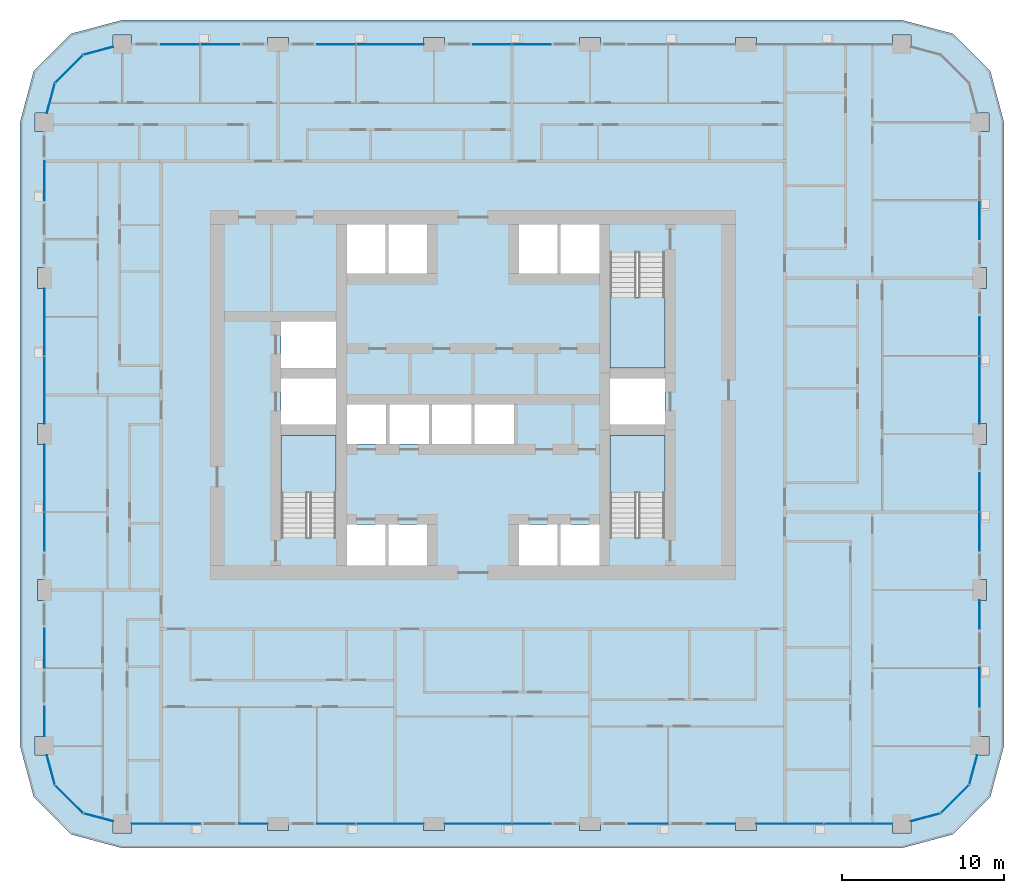
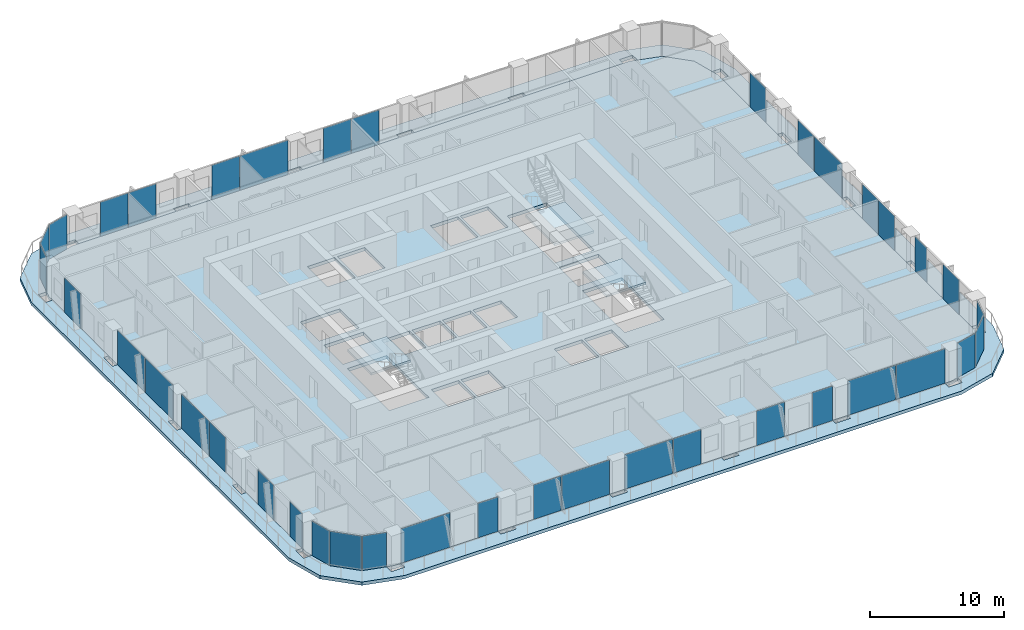
# One storey, part 7 of 22: 39 plates, 5 slabs, 22 elements without a shape of their own.
"""IFC4 building model written with IfcOpenShell, lengths in metres."""

from ifc_helpers import new_model, si_unit, direction, frame, origin, origin_2d, place, context, subcontext, project, spatial, polyline, rectangle, outline, extrude, material, layer, layer_set, type_object, element, aggregate, save


model = new_model("IFC4")

# Units and contexts
model_context = context("Model", 3, precision=1e-05, world=origin(), true_north=direction((0.0, 1.0)))
body_context = subcontext(model_context, "Body", "Model", "MODEL_VIEW")
ifc_project = project(units=[si_unit("LENGTHUNIT", "METRE"), si_unit("AREAUNIT", "SQUARE_METRE"), si_unit("VOLUMEUNIT", "CUBIC_METRE"), si_unit("PLANEANGLEUNIT", "RADIAN"), si_unit("MASSUNIT", "GRAM", prefix="KILO")], contexts=[model_context])

# Site, building, storey
site_placement = place(None, origin())
site = spatial("IfcSite", under=ifc_project, at=site_placement, CompositionType="ELEMENT")
building_placement = place(site_placement, origin())
building = spatial("IfcBuilding", under=site, at=building_placement, Name="Madar Terraces", CompositionType="ELEMENT")
storey_placement = place(building_placement, frame((0.0, 0.0, 69.800048828125)))
storey = spatial("IfcBuildingStorey", under=building, at=storey_placement, Name="L17", CompositionType="ELEMENT", Elevation=69.800048828125)

# Slabs
ifc_material_1 = material(Name="Concrete C50/60", Category="concrete")
ifc_layer_1 = layer(ifc_material_1, 0.300048828125)
ifc_layer_set_1 = layer_set([ifc_layer_1], Name="Balcony band 300")
slab_type_1 = type_object("IfcSlabType", Name="Balcony band 300", PredefinedType="FLOOR", material=ifc_layer_set_1)
slab_1_placement = place(storey_placement, frame((0.0, 0.0, -0.300048828125)))
element("IfcSlab", 1, at=slab_1_placement, inside=storey, type_object=slab_type_1, Name="Balcony band", PredefinedType="FLOOR", context=body_context, shape_type="SweptSolid", body=[
    extrude(outline(polyline([(9.60009765625, -1.5), (6.449951171875, -0.656005859375), (4.14404296875, 1.64990234375), (3.300048828125, 4.800048828125), (3.300048828125, 43.199951171875), (4.14404296875, 46.35009765625), (6.449951171875, 48.656005859375), (9.60009765625, 49.5), (57.60009765625, 49.5), (60.75, 48.656005859375), (63.055908203125, 46.35009765625), (63.89990234375, 43.199951171875), (63.89990234375, 4.800048828125), (63.055908203125, 1.64990234375), (60.75, -0.656005859375), (57.60009765625, -1.5), (9.60009765625, -1.5)]), holes=[polyline([(10.175048828125, -0.574951171875), (10.175048828125, 0.0), (18.550048828125, 0.0), (18.550048828125, -0.425048828125), (19.85009765625, -0.425048828125), (19.85009765625, 0.0), (28.14990234375, 0.0), (28.14990234375, -0.425048828125), (29.449951171875, -0.425048828125), (29.449951171875, 0.0), (37.75, 0.0), (37.75, -0.425048828125), (39.050048828125, -0.425048828125), (39.050048828125, 0.0), (47.35009765625, 0.0), (47.35009765625, -0.425048828125), (48.64990234375, -0.425048828125), (48.64990234375, 0.0), (57.02490234375, 0.0), (57.02490234375, -0.574951171875), (58.175048828125, -0.574951171875), (58.175048828125, 0.154052734375), (60.0, 0.64306640625), (61.7568359375, 2.39990234375), (62.245849609375, 4.22509765625), (62.97509765625, 4.22509765625), (62.97509765625, 5.375), (62.39990234375, 5.375), (62.39990234375, 13.75), (62.824951171875, 13.75), (62.824951171875, 15.050048828125), (62.39990234375, 15.050048828125), (62.39990234375, 23.35009765625), (62.824951171875, 23.35009765625), (62.824951171875, 24.64990234375), (62.39990234375, 24.64990234375), (62.39990234375, 32.949951171875), (62.824951171875, 32.949951171875), (62.824951171875, 34.25), (62.39990234375, 34.25), (62.39990234375, 42.625), (62.97509765625, 42.625), (62.97509765625, 43.77490234375), (62.245849609375, 43.77490234375), (61.7568359375, 45.60009765625), (60.0, 47.35693359375), (58.175048828125, 47.845947265625), (58.175048828125, 48.574951171875), (57.02490234375, 48.574951171875), (57.02490234375, 48.0), (48.64990234375, 48.0), (48.64990234375, 48.425048828125), (47.35009765625, 48.425048828125), (47.35009765625, 48.0), (39.050048828125, 48.0), (39.050048828125, 48.425048828125), (37.75, 48.425048828125), (37.75, 48.0), (29.449951171875, 48.0), (29.449951171875, 48.425048828125), (28.14990234375, 48.425048828125), (28.14990234375, 48.0), (19.85009765625, 48.0), (19.85009765625, 48.425048828125), (18.550048828125, 48.425048828125), (18.550048828125, 48.0), (10.175048828125, 48.0), (10.175048828125, 48.574951171875), (9.02490234375, 48.574951171875), (9.02490234375, 47.845947265625), (7.199951171875, 47.35693359375), (5.443115234375, 45.60009765625), (4.9541015625, 43.77490234375), (4.22509765625, 43.77490234375), (4.22509765625, 42.625), (4.800048828125, 42.625), (4.800048828125, 34.25), (4.375, 34.25), (4.375, 32.949951171875), (4.800048828125, 32.949951171875), (4.800048828125, 24.64990234375), (4.375, 24.64990234375), (4.375, 23.35009765625), (4.800048828125, 23.35009765625), (4.800048828125, 15.050048828125), (4.375, 15.050048828125), (4.375, 13.75), (4.800048828125, 13.75), (4.800048828125, 5.375), (4.22509765625, 5.375), (4.22509765625, 4.22509765625), (4.9541015625, 4.22509765625), (5.443115234375, 2.39990234375), (7.199951171875, 0.64306640625), (9.02490234375, 0.154052734375), (9.02490234375, -0.574951171875), (10.175048828125, -0.574951171875)])]), origin(), (0.0, 0.0, 1.0), 0.300048828125),
])
ifc_material_2 = material(Name="Concrete C50/60", Category="concrete")
ifc_layer_2 = layer(ifc_material_2, 0.300048828125)
ifc_layer_set_2 = layer_set([ifc_layer_2], Name="FS2 PT flat slab 300")
slab_type_2 = type_object("IfcSlabType", Name="FS2 PT flat slab 300", PredefinedType="FLOOR", material=ifc_layer_set_2)
slab_2_placement = place(storey_placement, frame((0.0, 0.0, -0.300048828125)))
element("IfcSlab", 2, at=slab_2_placement, inside=storey, type_object=slab_type_2, Name="Floor slab L17 (1)", PredefinedType="FLOOR", context=body_context, shape_type="SweptSolid", body=[
    extrude(outline(polyline([(57.60009765625, 0.0), (60.0, 0.64306640625), (61.7568359375, 2.39990234375), (62.39990234375, 4.800048828125), (62.39990234375, 43.199951171875), (61.7568359375, 45.60009765625), (60.0, 47.35693359375), (57.60009765625, 48.0), (9.60009765625, 48.0), (7.199951171875, 47.35693359375), (5.443115234375, 45.60009765625), (4.800048828125, 43.199951171875), (4.800048828125, 4.800048828125), (5.443115234375, 2.39990234375), (7.199951171875, 0.64306640625), (9.60009765625, 0.0), (57.60009765625, 0.0)]), holes=[polyline([(23.425048828125, 15.89990234375), (23.425048828125, 18.425048828125), (25.800048828125, 18.425048828125), (25.800048828125, 15.89990234375), (23.425048828125, 15.89990234375)]), polyline([(26.0, 15.89990234375), (26.0, 18.425048828125), (28.375, 18.425048828125), (28.375, 15.89990234375), (26.0, 15.89990234375)]), polyline([(19.375, 17.64990234375), (19.375, 23.925048828125), (22.77490234375, 23.925048828125), (22.77490234375, 17.64990234375), (19.375, 17.64990234375)]), polyline([(23.425048828125, 23.375), (23.425048828125, 25.824951171875), (25.85009765625, 25.824951171875), (25.85009765625, 23.375), (23.425048828125, 23.375)]), polyline([(26.050048828125, 23.375), (26.050048828125, 25.824951171875), (28.47509765625, 25.824951171875), (28.47509765625, 23.375), (26.050048828125, 23.375)]), polyline([(19.375, 24.574951171875), (19.375, 27.425048828125), (22.77490234375, 27.425048828125), (22.77490234375, 24.574951171875), (19.375, 24.574951171875)]), polyline([(19.375, 28.074951171875), (19.375, 30.925048828125), (22.77490234375, 30.925048828125), (22.77490234375, 28.074951171875), (19.375, 28.074951171875)]), polyline([(23.425048828125, 36.89990234375), (25.800048828125, 36.89990234375), (25.800048828125, 33.875), (23.425048828125, 33.875), (23.425048828125, 36.89990234375)]), polyline([(26.0, 36.89990234375), (28.375, 36.89990234375), (28.375, 33.875), (26.0, 33.875), (26.0, 36.89990234375)]), polyline([(34.02490234375, 15.89990234375), (34.02490234375, 18.425048828125), (36.39990234375, 18.425048828125), (36.39990234375, 15.89990234375), (34.02490234375, 15.89990234375)]), polyline([(36.60009765625, 15.89990234375), (36.60009765625, 18.425048828125), (38.97509765625, 18.425048828125), (38.97509765625, 15.89990234375), (36.60009765625, 15.89990234375)]), polyline([(39.625, 17.64990234375), (39.625, 23.925048828125), (43.02490234375, 23.925048828125), (43.02490234375, 17.64990234375), (39.625, 17.64990234375)]), polyline([(28.675048828125, 23.375), (28.675048828125, 25.824951171875), (31.10009765625, 25.824951171875), (31.10009765625, 23.375), (28.675048828125, 23.375)]), polyline([(31.300048828125, 23.375), (31.300048828125, 25.824951171875), (33.72509765625, 25.824951171875), (33.72509765625, 23.375), (31.300048828125, 23.375)]), polyline([(39.625, 24.574951171875), (39.625, 27.425048828125), (43.02490234375, 27.425048828125), (43.02490234375, 24.574951171875), (39.625, 24.574951171875)]), polyline([(39.625, 28.074951171875), (39.625, 35.14990234375), (43.02490234375, 35.14990234375), (43.02490234375, 28.074951171875), (39.625, 28.074951171875)]), polyline([(34.02490234375, 36.89990234375), (36.39990234375, 36.89990234375), (36.39990234375, 33.875), (34.02490234375, 33.875), (34.02490234375, 36.89990234375)]), polyline([(36.60009765625, 36.89990234375), (38.97509765625, 36.89990234375), (38.97509765625, 33.875), (36.60009765625, 33.875), (36.60009765625, 36.89990234375)])]), origin(), (0.0, 0.0, 1.0), 0.300048828125),
])

# Curtain wall, plates
ifc_material_3 = material(Name="Glass, ceramic frit dark grey, with black aluminium frame", Category="aluminium")
ifc_layer_3 = layer(ifc_material_3, 0.199951171875)
ifc_layer_set_3 = layer_set([ifc_layer_3], Name="Facade curtain wall, fritted glass")
curtain_wall_type = type_object("IfcCurtainWallType", Name="Facade curtain wall, fritted glass", PredefinedType="NOTDEFINED", material=ifc_layer_set_3)
curtain_wall_1_placement = place(storey_placement, origin())
curtain_wall_1 = element("IfcCurtainWall", 3, at=curtain_wall_1_placement, inside=storey, type_object=curtain_wall_type, Name="Outer skin curtain wall south bay 1", PredefinedType="NOTDEFINED")
ifc_material_4 = material(Name="Glass, ceramic frit dark grey", Category="glass")
ifc_layer_4 = layer(ifc_material_4, 0.028076171875)
ifc_layer_set_4 = layer_set([ifc_layer_4], Name="Facade glass panel 28")
plate_type = type_object("IfcPlateType", Name="Facade glass panel 28", PredefinedType="CURTAIN_PANEL", material=ifc_layer_set_4)
plate_1_placement = place(storey_placement, frame((12.28759765625, 0.0, 0.0), z_axis=(0.0, 0.0, 1.0), x_axis=(1.0, 0.0, 0.0)))
plate_1 = element("IfcPlate", 4, at=plate_1_placement, type_object=plate_type, Name="Panel 1", PredefinedType="CURTAIN_PANEL", context=body_context, shape_type="SweptSolid", body=[
    extrude(rectangle(XDim=4.22509765625, YDim=0.028076171875, at=origin_2d()), origin(), (0.0, 0.0, 1.0), 3.139892578125),
])
plate_2_placement = place(storey_placement, frame((17.675048828125, 0.0, 0.0), z_axis=(0.0, 0.0, 1.0), x_axis=(1.0, 0.0, 0.0)))
plate_2 = element("IfcPlate", 5, at=plate_2_placement, type_object=plate_type, Name="Panel 2", PredefinedType="CURTAIN_PANEL", context=body_context, shape_type="SweptSolid", body=[
    extrude(rectangle(XDim=1.75, YDim=0.028076171875, at=origin_2d()), origin(), (0.0, 0.0, 1.0), 3.139892578125),
])
aggregate(curtain_wall_1, [plate_1, plate_2])

curtain_wall_2_placement = place(storey_placement, origin())
curtain_wall_2 = element("IfcCurtainWall", 6, at=curtain_wall_2_placement, inside=storey, type_object=curtain_wall_type, Name="Outer skin curtain wall south bay 2", PredefinedType="NOTDEFINED")
plate_3_placement = place(storey_placement, frame((22.784912109375, 0.0, 0.0), z_axis=(0.0, 0.0, 1.0), x_axis=(1.0, 0.0, 0.0)))
plate_3 = element("IfcPlate", 7, at=plate_3_placement, type_object=plate_type, Name="Panel 1", PredefinedType="CURTAIN_PANEL", context=body_context, shape_type="SweptSolid", body=[
    extrude(rectangle(XDim=2.3701171875, YDim=0.028076171875, at=origin_2d()), origin(), (0.0, 0.0, 1.0), 3.139892578125),
])
plate_4_placement = place(storey_placement, frame((26.090087890625, 0.0, 0.0), z_axis=(0.0, 0.0, 1.0), x_axis=(1.0, 0.0, 0.0)))
plate_4 = element("IfcPlate", 8, at=plate_4_placement, type_object=plate_type, Name="Panel 2", PredefinedType="CURTAIN_PANEL", context=body_context, shape_type="SweptSolid", body=[
    extrude(rectangle(XDim=4.1201171875, YDim=0.028076171875, at=origin_2d()), origin(), (0.0, 0.0, 1.0), 3.139892578125),
])
aggregate(curtain_wall_2, [plate_3, plate_4])

curtain_wall_3_placement = place(storey_placement, origin())
curtain_wall_3 = element("IfcCurtainWall", 9, at=curtain_wall_3_placement, inside=storey, type_object=curtain_wall_type, Name="Outer skin curtain wall south bay 3", PredefinedType="NOTDEFINED")
plate_5_placement = place(storey_placement, frame((31.510009765625, 0.0, 0.0), z_axis=(0.0, 0.0, 1.0), x_axis=(1.0, 0.0, 0.0)))
plate_5 = element("IfcPlate", 10, at=plate_5_placement, type_object=plate_type, Name="Panel 1", PredefinedType="CURTAIN_PANEL", context=body_context, shape_type="SweptSolid", body=[
    extrude(rectangle(XDim=4.1201171875, YDim=0.028076171875, at=origin_2d()), origin(), (0.0, 0.0, 1.0), 3.139892578125),
])
plate_6_placement = place(storey_placement, frame((34.81494140625, 0.0, 0.0), z_axis=(0.0, 0.0, 1.0), x_axis=(1.0, 0.0, 0.0)))
plate_6 = element("IfcPlate", 11, at=plate_6_placement, type_object=plate_type, Name="Panel 2", PredefinedType="CURTAIN_PANEL", context=body_context, shape_type="SweptSolid", body=[
    extrude(rectangle(XDim=2.3701171875, YDim=0.028076171875, at=origin_2d()), origin(), (0.0, 0.0, 1.0), 3.139892578125),
])
aggregate(curtain_wall_3, [plate_5, plate_6])

curtain_wall_4_placement = place(storey_placement, origin())
curtain_wall_4 = element("IfcCurtainWall", 12, at=curtain_wall_4_placement, inside=storey, type_object=curtain_wall_type, Name="Outer skin curtain wall south bay 4", PredefinedType="NOTDEFINED")
plate_7_placement = place(storey_placement, frame((42.0, 0.0, 0.0), z_axis=(0.0, 0.0, 1.0), x_axis=(1.0, 0.0, 0.0)))
plate_7 = element("IfcPlate", 13, at=plate_7_placement, type_object=plate_type, Name="Panel 1", PredefinedType="CURTAIN_PANEL", context=body_context, shape_type="SweptSolid", body=[
    extrude(rectangle(XDim=2.39990234375, YDim=0.028076171875, at=origin_2d()), origin(), (0.0, 0.0, 1.0), 3.139892578125),
])
plate_8_placement = place(storey_placement, frame((46.47509765625, 0.0, 0.0), z_axis=(0.0, 0.0, 1.0), x_axis=(1.0, 0.0, 0.0)))
plate_8 = element("IfcPlate", 14, at=plate_8_placement, type_object=plate_type, Name="Panel 2", PredefinedType="CURTAIN_PANEL", context=body_context, shape_type="SweptSolid", body=[
    extrude(rectangle(XDim=1.75, YDim=0.028076171875, at=origin_2d()), origin(), (0.0, 0.0, 1.0), 3.139892578125),
])
aggregate(curtain_wall_4, [plate_7, plate_8])

curtain_wall_5_placement = place(storey_placement, origin())
curtain_wall_5 = element("IfcCurtainWall", 15, at=curtain_wall_5_placement, inside=storey, type_object=curtain_wall_type, Name="Outer skin curtain wall south bay 5", PredefinedType="NOTDEFINED")
plate_9_placement = place(storey_placement, frame((50.7099609375, 0.0, 0.0), z_axis=(0.0, 0.0, 1.0), x_axis=(1.0, 0.0, 0.0)))
plate_9 = element("IfcPlate", 16, at=plate_9_placement, type_object=plate_type, Name="Panel 1", PredefinedType="CURTAIN_PANEL", context=body_context, shape_type="SweptSolid", body=[
    extrude(rectangle(XDim=4.1201171875, YDim=0.028076171875, at=origin_2d()), origin(), (0.0, 0.0, 1.0), 3.139892578125),
])
plate_10_placement = place(storey_placement, frame((54.927490234375, 0.0, 0.0), z_axis=(0.0, 0.0, 1.0), x_axis=(1.0, 0.0, 0.0)))
plate_10 = element("IfcPlate", 17, at=plate_10_placement, type_object=plate_type, Name="Panel 2", PredefinedType="CURTAIN_PANEL", context=body_context, shape_type="SweptSolid", body=[
    extrude(rectangle(XDim=4.195068359375, YDim=0.028076171875, at=origin_2d()), origin(), (0.0, 0.0, 1.0), 3.139892578125),
])
aggregate(curtain_wall_5, [plate_9, plate_10])

curtain_wall_6_placement = place(storey_placement, origin())
curtain_wall_6 = element("IfcCurtainWall", 18, at=curtain_wall_6_placement, inside=storey, type_object=curtain_wall_type, Name="Outer skin curtain wall east bay 1", PredefinedType="NOTDEFINED")
plate_11_placement = place(storey_placement, frame((62.39990234375, 8.39990234375, 0.0), z_axis=(0.0, 0.0, 1.0), x_axis=(0.0, 1.0, 0.0)))
plate_11 = element("IfcPlate", 19, at=plate_11_placement, type_object=plate_type, Name="Panel 1", PredefinedType="CURTAIN_PANEL", context=body_context, shape_type="SweptSolid", body=[
    extrude(rectangle(XDim=2.39990234375, YDim=0.028076171875, at=origin_2d()), origin(), (0.0, 0.0, 1.0), 3.139892578125),
])
plate_12_placement = place(storey_placement, frame((62.39990234375, 12.875, 0.0), z_axis=(0.0, 0.0, 1.0), x_axis=(0.0, 1.0, 0.0)))
plate_12 = element("IfcPlate", 20, at=plate_12_placement, type_object=plate_type, Name="Panel 2", PredefinedType="CURTAIN_PANEL", context=body_context, shape_type="SweptSolid", body=[
    extrude(rectangle(XDim=1.75, YDim=0.028076171875, at=origin_2d()), origin(), (0.0, 0.0, 1.0), 3.139892578125),
])
aggregate(curtain_wall_6, [plate_11, plate_12])

curtain_wall_7_placement = place(storey_placement, origin())
curtain_wall_7 = element("IfcCurtainWall", 21, at=curtain_wall_7_placement, inside=storey, type_object=curtain_wall_type, Name="Outer skin curtain wall east bay 2", PredefinedType="NOTDEFINED")
plate_13_placement = place(storey_placement, frame((62.39990234375, 17.985107421875, 0.0), z_axis=(0.0, 0.0, 1.0), x_axis=(0.0, 1.0, 0.0)))
plate_13 = element("IfcPlate", 22, at=plate_13_placement, type_object=plate_type, Name="Panel 1", PredefinedType="CURTAIN_PANEL", context=body_context, shape_type="SweptSolid", body=[
    extrude(rectangle(XDim=2.3701171875, YDim=0.028076171875, at=origin_2d()), origin(), (0.0, 0.0, 1.0), 3.139892578125),
])
plate_14_placement = place(storey_placement, frame((62.39990234375, 20.4150390625, 0.0), z_axis=(0.0, 0.0, 1.0), x_axis=(0.0, 1.0, 0.0)))
plate_14 = element("IfcPlate", 23, at=plate_14_placement, type_object=plate_type, Name="Panel 2", PredefinedType="CURTAIN_PANEL", context=body_context, shape_type="SweptSolid", body=[
    extrude(rectangle(XDim=2.3701171875, YDim=0.028076171875, at=origin_2d()), origin(), (0.0, 0.0, 1.0), 3.139892578125),
])
aggregate(curtain_wall_7, [plate_13, plate_14])

curtain_wall_8_placement = place(storey_placement, origin())
curtain_wall_8 = element("IfcCurtainWall", 24, at=curtain_wall_8_placement, inside=storey, type_object=curtain_wall_type, Name="Outer skin curtain wall east bay 3", PredefinedType="NOTDEFINED")
plate_15_placement = place(storey_placement, frame((62.39990234375, 26.7099609375, 0.0), z_axis=(0.0, 0.0, 1.0), x_axis=(0.0, 1.0, 0.0)))
plate_15 = element("IfcPlate", 25, at=plate_15_placement, type_object=plate_type, Name="Panel 1", PredefinedType="CURTAIN_PANEL", context=body_context, shape_type="SweptSolid", body=[
    extrude(rectangle(XDim=4.1201171875, YDim=0.028076171875, at=origin_2d()), origin(), (0.0, 0.0, 1.0), 3.139892578125),
])
plate_16_placement = place(storey_placement, frame((62.39990234375, 30.014892578125, 0.0), z_axis=(0.0, 0.0, 1.0), x_axis=(0.0, 1.0, 0.0)))
plate_16 = element("IfcPlate", 26, at=plate_16_placement, type_object=plate_type, Name="Panel 2", PredefinedType="CURTAIN_PANEL", context=body_context, shape_type="SweptSolid", body=[
    extrude(rectangle(XDim=2.3701171875, YDim=0.028076171875, at=origin_2d()), origin(), (0.0, 0.0, 1.0), 3.139892578125),
])
aggregate(curtain_wall_8, [plate_15, plate_16])

# Curtain wall, plate
curtain_wall_9_placement = place(storey_placement, origin())
curtain_wall_9 = element("IfcCurtainWall", 27, at=curtain_wall_9_placement, inside=storey, type_object=curtain_wall_type, Name="Outer skin curtain wall east bay 4", PredefinedType="NOTDEFINED")
plate_17_placement = place(storey_placement, frame((62.39990234375, 37.18505859375, 0.0), z_axis=(0.0, 0.0, 1.0), x_axis=(0.0, 1.0, 0.0)))
plate_17 = element("IfcPlate", 28, at=plate_17_placement, type_object=plate_type, Name="Panel 1", PredefinedType="CURTAIN_PANEL", context=body_context, shape_type="SweptSolid", body=[
    extrude(rectangle(XDim=2.3701171875, YDim=0.028076171875, at=origin_2d()), origin(), (0.0, 0.0, 1.0), 3.139892578125),
])
aggregate(curtain_wall_9, [plate_17])

# Curtain wall, plates
curtain_wall_10_placement = place(storey_placement, origin())
curtain_wall_10 = element("IfcCurtainWall", 29, at=curtain_wall_10_placement, inside=storey, type_object=curtain_wall_type, Name="Outer skin curtain wall north bay 3", PredefinedType="NOTDEFINED")
plate_18_placement = place(storey_placement, frame((34.81494140625, 48.0, 0.0), z_axis=(0.0, 0.0, 1.0), x_axis=(-1.0, 0.0, 0.0)))
plate_18 = element("IfcPlate", 30, at=plate_18_placement, type_object=plate_type, Name="Panel 1", PredefinedType="CURTAIN_PANEL", context=body_context, shape_type="SweptSolid", body=[
    extrude(rectangle(XDim=2.3701171875, YDim=0.028076171875, at=origin_2d()), origin(), (0.0, 0.0, 1.0), 3.139892578125),
])
plate_19_placement = place(storey_placement, frame((32.385009765625, 48.0, 0.0), z_axis=(0.0, 0.0, 1.0), x_axis=(-1.0, 0.0, 0.0)))
plate_19 = element("IfcPlate", 31, at=plate_19_placement, type_object=plate_type, Name="Panel 2", PredefinedType="CURTAIN_PANEL", context=body_context, shape_type="SweptSolid", body=[
    extrude(rectangle(XDim=2.3701171875, YDim=0.028076171875, at=origin_2d()), origin(), (0.0, 0.0, 1.0), 3.139892578125),
])
aggregate(curtain_wall_10, [plate_18, plate_19])

curtain_wall_11_placement = place(storey_placement, origin())
curtain_wall_11 = element("IfcCurtainWall", 32, at=curtain_wall_11_placement, inside=storey, type_object=curtain_wall_type, Name="Outer skin curtain wall north bay 4", PredefinedType="NOTDEFINED")
plate_20_placement = place(storey_placement, frame((26.090087890625, 48.0, 0.0), z_axis=(0.0, 0.0, 1.0), x_axis=(-1.0, 0.0, 0.0)))
plate_20 = element("IfcPlate", 33, at=plate_20_placement, type_object=plate_type, Name="Panel 1", PredefinedType="CURTAIN_PANEL", context=body_context, shape_type="SweptSolid", body=[
    extrude(rectangle(XDim=4.1201171875, YDim=0.028076171875, at=origin_2d()), origin(), (0.0, 0.0, 1.0), 3.139892578125),
])
plate_21_placement = place(storey_placement, frame((22.784912109375, 48.0, 0.0), z_axis=(0.0, 0.0, 1.0), x_axis=(-1.0, 0.0, 0.0)))
plate_21 = element("IfcPlate", 34, at=plate_21_placement, type_object=plate_type, Name="Panel 2", PredefinedType="CURTAIN_PANEL", context=body_context, shape_type="SweptSolid", body=[
    extrude(rectangle(XDim=2.3701171875, YDim=0.028076171875, at=origin_2d()), origin(), (0.0, 0.0, 1.0), 3.139892578125),
])
aggregate(curtain_wall_11, [plate_20, plate_21])

curtain_wall_12_placement = place(storey_placement, origin())
curtain_wall_12 = element("IfcCurtainWall", 35, at=curtain_wall_12_placement, inside=storey, type_object=curtain_wall_type, Name="Outer skin curtain wall north bay 5", PredefinedType="NOTDEFINED")
plate_22_placement = place(storey_placement, frame((15.614990234375, 48.0, 0.0), z_axis=(0.0, 0.0, 1.0), x_axis=(-1.0, 0.0, 0.0)))
plate_22 = element("IfcPlate", 36, at=plate_22_placement, type_object=plate_type, Name="Panel 1", PredefinedType="CURTAIN_PANEL", context=body_context, shape_type="SweptSolid", body=[
    extrude(rectangle(XDim=2.3701171875, YDim=0.028076171875, at=origin_2d()), origin(), (0.0, 0.0, 1.0), 3.139892578125),
])
plate_23_placement = place(storey_placement, frame((13.18505859375, 48.0, 0.0), z_axis=(0.0, 0.0, 1.0), x_axis=(-1.0, 0.0, 0.0)))
plate_23 = element("IfcPlate", 37, at=plate_23_placement, type_object=plate_type, Name="Panel 2", PredefinedType="CURTAIN_PANEL", context=body_context, shape_type="SweptSolid", body=[
    extrude(rectangle(XDim=2.3701171875, YDim=0.028076171875, at=origin_2d()), origin(), (0.0, 0.0, 1.0), 3.139892578125),
])
aggregate(curtain_wall_12, [plate_22, plate_23])

# Curtain wall, plate
curtain_wall_13_placement = place(storey_placement, origin())
curtain_wall_13 = element("IfcCurtainWall", 38, at=curtain_wall_13_placement, inside=storey, type_object=curtain_wall_type, Name="Outer skin curtain wall west bay 1", PredefinedType="NOTDEFINED")
plate_24_placement = place(storey_placement, frame((4.800048828125, 39.60009765625, 0.0), z_axis=(0.0, 0.0, 1.0), x_axis=(0.0, -1.0, 0.0)))
plate_24 = element("IfcPlate", 39, at=plate_24_placement, type_object=plate_type, Name="Panel 1", PredefinedType="CURTAIN_PANEL", context=body_context, shape_type="SweptSolid", body=[
    extrude(rectangle(XDim=2.39990234375, YDim=0.028076171875, at=origin_2d()), origin(), (0.0, 0.0, 1.0), 3.139892578125),
])
aggregate(curtain_wall_13, [plate_24])

# Curtain wall, plates
curtain_wall_14_placement = place(storey_placement, origin())
curtain_wall_14 = element("IfcCurtainWall", 40, at=curtain_wall_14_placement, inside=storey, type_object=curtain_wall_type, Name="Outer skin curtain wall west bay 2", PredefinedType="NOTDEFINED")
plate_25_placement = place(storey_placement, frame((4.800048828125, 30.889892578125, 0.0), z_axis=(0.0, 0.0, 1.0), x_axis=(0.0, -1.0, 0.0)))
plate_25 = element("IfcPlate", 41, at=plate_25_placement, type_object=plate_type, Name="Panel 1", PredefinedType="CURTAIN_PANEL", context=body_context, shape_type="SweptSolid", body=[
    extrude(rectangle(XDim=4.1201171875, YDim=0.028076171875, at=origin_2d()), origin(), (0.0, 0.0, 1.0), 3.139892578125),
])
plate_26_placement = place(storey_placement, frame((4.800048828125, 26.7099609375, 0.0), z_axis=(0.0, 0.0, 1.0), x_axis=(0.0, -1.0, 0.0)))
plate_26 = element("IfcPlate", 42, at=plate_26_placement, type_object=plate_type, Name="Panel 2", PredefinedType="CURTAIN_PANEL", context=body_context, shape_type="SweptSolid", body=[
    extrude(rectangle(XDim=4.1201171875, YDim=0.028076171875, at=origin_2d()), origin(), (0.0, 0.0, 1.0), 3.139892578125),
])
aggregate(curtain_wall_14, [plate_25, plate_26])

curtain_wall_15_placement = place(storey_placement, origin())
curtain_wall_15 = element("IfcCurtainWall", 43, at=curtain_wall_15_placement, inside=storey, type_object=curtain_wall_type, Name="Outer skin curtain wall west bay 3", PredefinedType="NOTDEFINED")
plate_27_placement = place(storey_placement, frame((4.800048828125, 21.2900390625, 0.0), z_axis=(0.0, 0.0, 1.0), x_axis=(0.0, -1.0, 0.0)))
plate_27 = element("IfcPlate", 44, at=plate_27_placement, type_object=plate_type, Name="Panel 1", PredefinedType="CURTAIN_PANEL", context=body_context, shape_type="SweptSolid", body=[
    extrude(rectangle(XDim=4.1201171875, YDim=0.028076171875, at=origin_2d()), origin(), (0.0, 0.0, 1.0), 3.139892578125),
])
plate_28_placement = place(storey_placement, frame((4.800048828125, 17.985107421875, 0.0), z_axis=(0.0, 0.0, 1.0), x_axis=(0.0, -1.0, 0.0)))
plate_28 = element("IfcPlate", 45, at=plate_28_placement, type_object=plate_type, Name="Panel 2", PredefinedType="CURTAIN_PANEL", context=body_context, shape_type="SweptSolid", body=[
    extrude(rectangle(XDim=2.3701171875, YDim=0.028076171875, at=origin_2d()), origin(), (0.0, 0.0, 1.0), 3.139892578125),
])
aggregate(curtain_wall_15, [plate_27, plate_28])

curtain_wall_16_placement = place(storey_placement, origin())
curtain_wall_16 = element("IfcCurtainWall", 46, at=curtain_wall_16_placement, inside=storey, type_object=curtain_wall_type, Name="Outer skin curtain wall west bay 4", PredefinedType="NOTDEFINED")
plate_29_placement = place(storey_placement, frame((4.800048828125, 10.800048828125, 0.0), z_axis=(0.0, 0.0, 1.0), x_axis=(0.0, -1.0, 0.0)))
plate_29 = element("IfcPlate", 47, at=plate_29_placement, type_object=plate_type, Name="Panel 1", PredefinedType="CURTAIN_PANEL", context=body_context, shape_type="SweptSolid", body=[
    extrude(rectangle(XDim=2.39990234375, YDim=0.028076171875, at=origin_2d()), origin(), (0.0, 0.0, 1.0), 3.139892578125),
])
plate_30_placement = place(storey_placement, frame((4.800048828125, 6.28759765625, 0.0), z_axis=(0.0, 0.0, 1.0), x_axis=(0.0, -1.0, 0.0)))
plate_30 = element("IfcPlate", 48, at=plate_30_placement, type_object=plate_type, Name="Panel 2", PredefinedType="CURTAIN_PANEL", context=body_context, shape_type="SweptSolid", body=[
    extrude(rectangle(XDim=1.824951171875, YDim=0.028076171875, at=origin_2d()), origin(), (0.0, 0.0, 1.0), 3.139892578125),
])
aggregate(curtain_wall_16, [plate_29, plate_30])

curtain_wall_17_placement = place(storey_placement, origin())
curtain_wall_17 = element("IfcCurtainWall", 49, at=curtain_wall_17_placement, inside=storey, type_object=curtain_wall_type, Name="Outer skin curtain wall south-east corner", PredefinedType="NOTDEFINED")
plate_31_placement = place(storey_placement, frame((59.072998046875, 0.394775390625, 0.0), z_axis=(0.0, 0.0, 1.0), x_axis=(0.965925832509, 0.258819021888, 0.0)))
plate_31 = element("IfcPlate", 50, at=plate_31_placement, type_object=plate_type, Name="Panel 1", PredefinedType="CURTAIN_PANEL", context=body_context, shape_type="SweptSolid", body=[
    extrude(rectangle(XDim=1.859375, YDim=0.028076171875, at=origin_2d()), origin(), (0.0, 0.0, 1.0), 3.139892578125),
])
plate_32_placement = place(storey_placement, frame((60.87841796875, 1.521484375, 0.0), z_axis=(0.0, 0.0, 1.0), x_axis=(0.707106781187, 0.707106781187, 0.0)))
plate_32 = element("IfcPlate", 51, at=plate_32_placement, type_object=plate_type, Name="Panel 2", PredefinedType="CURTAIN_PANEL", context=body_context, shape_type="SweptSolid", body=[
    extrude(rectangle(XDim=2.424560546875, YDim=0.028076171875, at=origin_2d()), origin(), (0.0, 0.0, 1.0), 3.139892578125),
])
plate_33_placement = place(storey_placement, frame((62.00537109375, 3.326904296875, 0.0), z_axis=(0.0, 0.0, 1.0), x_axis=(0.258819021888, 0.965925832509, 0.0)))
plate_33 = element("IfcPlate", 52, at=plate_33_placement, type_object=plate_type, Name="Panel 3", PredefinedType="CURTAIN_PANEL", context=body_context, shape_type="SweptSolid", body=[
    extrude(rectangle(XDim=1.859375, YDim=0.028076171875, at=origin_2d()), origin(), (0.0, 0.0, 1.0), 3.139892578125),
])
aggregate(curtain_wall_17, [plate_31, plate_32, plate_33])

curtain_wall_18_placement = place(storey_placement, origin())
curtain_wall_18 = element("IfcCurtainWall", 53, at=curtain_wall_18_placement, inside=storey, type_object=curtain_wall_type, Name="Outer skin curtain wall north-west corner", PredefinedType="NOTDEFINED")
plate_34_placement = place(storey_placement, frame((8.126953125, 47.605224609375, 0.0), z_axis=(0.0, 0.0, 1.0), x_axis=(-0.965925832509, -0.258819021888, 0.0)))
plate_34 = element("IfcPlate", 54, at=plate_34_placement, type_object=plate_type, Name="Panel 1", PredefinedType="CURTAIN_PANEL", context=body_context, shape_type="SweptSolid", body=[
    extrude(rectangle(XDim=1.859375, YDim=0.028076171875, at=origin_2d()), origin(), (0.0, 0.0, 1.0), 3.139892578125),
])
plate_35_placement = place(storey_placement, frame((6.321533203125, 46.478515625, 0.0), z_axis=(0.0, 0.0, 1.0), x_axis=(-0.707106781187, -0.707106781187, 0.0)))
plate_35 = element("IfcPlate", 55, at=plate_35_placement, type_object=plate_type, Name="Panel 2", PredefinedType="CURTAIN_PANEL", context=body_context, shape_type="SweptSolid", body=[
    extrude(rectangle(XDim=2.424560546875, YDim=0.028076171875, at=origin_2d()), origin(), (0.0, 0.0, 1.0), 3.139892578125),
])
plate_36_placement = place(storey_placement, frame((5.194580078125, 44.673095703125, 0.0), z_axis=(0.0, 0.0, 1.0), x_axis=(-0.258819021888, -0.965925832509, 0.0)))
plate_36 = element("IfcPlate", 56, at=plate_36_placement, type_object=plate_type, Name="Panel 3", PredefinedType="CURTAIN_PANEL", context=body_context, shape_type="SweptSolid", body=[
    extrude(rectangle(XDim=1.859375, YDim=0.028076171875, at=origin_2d()), origin(), (0.0, 0.0, 1.0), 3.139892578125),
])
aggregate(curtain_wall_18, [plate_34, plate_35, plate_36])

curtain_wall_19_placement = place(storey_placement, origin())
curtain_wall_19 = element("IfcCurtainWall", 57, at=curtain_wall_19_placement, inside=storey, type_object=curtain_wall_type, Name="Outer skin curtain wall south-west corner", PredefinedType="NOTDEFINED")
plate_37_placement = place(storey_placement, frame((5.194580078125, 3.326904296875, 0.0), z_axis=(0.0, 0.0, 1.0), x_axis=(0.258819021888, -0.965925832509, 0.0)))
plate_37 = element("IfcPlate", 58, at=plate_37_placement, type_object=plate_type, Name="Panel 1", PredefinedType="CURTAIN_PANEL", context=body_context, shape_type="SweptSolid", body=[
    extrude(rectangle(XDim=1.859375, YDim=0.028076171875, at=origin_2d()), origin(), (0.0, 0.0, 1.0), 3.139892578125),
])
plate_38_placement = place(storey_placement, frame((6.321533203125, 1.521484375, 0.0), z_axis=(0.0, 0.0, 1.0), x_axis=(0.707106781187, -0.707106781187, 0.0)))
plate_38 = element("IfcPlate", 59, at=plate_38_placement, type_object=plate_type, Name="Panel 2", PredefinedType="CURTAIN_PANEL", context=body_context, shape_type="SweptSolid", body=[
    extrude(rectangle(XDim=2.424560546875, YDim=0.028076171875, at=origin_2d()), origin(), (0.0, 0.0, 1.0), 3.139892578125),
])
plate_39_placement = place(storey_placement, frame((8.126953125, 0.394775390625, 0.0), z_axis=(0.0, 0.0, 1.0), x_axis=(0.965925832509, -0.258819021888, 0.0)))
plate_39 = element("IfcPlate", 60, at=plate_39_placement, type_object=plate_type, Name="Panel 3", PredefinedType="CURTAIN_PANEL", context=body_context, shape_type="SweptSolid", body=[
    extrude(rectangle(XDim=1.859375, YDim=0.028076171875, at=origin_2d()), origin(), (0.0, 0.0, 1.0), 3.139892578125),
])
aggregate(curtain_wall_19, [plate_37, plate_38, plate_39])

# Stair, slab
ifc_material_5 = material(Name="Concrete C50/60", Category="concrete")
stair_type_1 = type_object("IfcStairType", Name="Stair ST1 protected exit", PredefinedType="HALF_TURN_STAIR", material=ifc_material_5)
stair_1_placement = place(storey_placement, origin())
stair_1 = element("IfcStair", 61, at=stair_1_placement, inside=storey, type_object=stair_type_1, Name="L17 Protected Exit Stair ST1", PredefinedType="HALF_TURN_STAIR")
ifc_material_6 = material(Name="Concrete C50/60", Category="concrete")
ifc_layer_5 = layer(ifc_material_6, 0.199951171875)
ifc_layer_set_5 = layer_set([ifc_layer_5], Name="Stair landing 200, top +1.75")
slab_type_3 = type_object("IfcSlabType", Name="Stair landing 200, top +1.75", PredefinedType="LANDING", material=ifc_layer_set_5)
slab_3_placement = place(storey_placement, frame((0.0, 0.0, 1.550048828125)))
slab_3 = element("IfcSlab", 62, at=slab_3_placement, type_object=slab_type_3, Name="ST1 landing 1", PredefinedType="LANDING", context=body_context, shape_type="SweptSolid", body=[
    extrude(outline(polyline([(19.375, 20.360107421875), (22.77490234375, 20.360107421875), (22.77490234375, 23.925048828125), (19.375, 23.925048828125), (19.375, 20.360107421875)])), origin(), (0.0, 0.0, 1.0), 0.199951171875),
])
aggregate(stair_1, [slab_3])

ifc_material_7 = material(Name="Concrete C50/60", Category="concrete")
stair_type_2 = type_object("IfcStairType", Name="Stair ST2 protected exit", PredefinedType="HALF_TURN_STAIR", material=ifc_material_7)
stair_2_placement = place(storey_placement, origin())
stair_2 = element("IfcStair", 63, at=stair_2_placement, inside=storey, type_object=stair_type_2, Name="L17 Protected Exit Stair ST2", PredefinedType="HALF_TURN_STAIR")
slab_4_placement = place(storey_placement, frame((0.0, 0.0, 1.550048828125)))
slab_4 = element("IfcSlab", 64, at=slab_4_placement, type_object=slab_type_3, Name="ST2 landing 1", PredefinedType="LANDING", context=body_context, shape_type="SweptSolid", body=[
    extrude(outline(polyline([(39.625, 28.074951171875), (43.02490234375, 28.074951171875), (43.02490234375, 32.43994140625), (39.625, 32.43994140625), (39.625, 28.074951171875)])), origin(), (0.0, 0.0, 1.0), 0.199951171875),
])
aggregate(stair_2, [slab_4])

ifc_material_8 = material(Name="Concrete C50/60", Category="concrete")
stair_type_3 = type_object("IfcStairType", Name="Stair ST3 protected exit", PredefinedType="HALF_TURN_STAIR", material=ifc_material_8)
stair_3_placement = place(storey_placement, origin())
stair_3 = element("IfcStair", 65, at=stair_3_placement, inside=storey, type_object=stair_type_3, Name="L17 Protected Exit Stair ST3", PredefinedType="HALF_TURN_STAIR")
slab_5_placement = place(storey_placement, frame((0.0, 0.0, 1.550048828125)))
slab_5 = element("IfcSlab", 66, at=slab_5_placement, type_object=slab_type_3, Name="ST3 landing 1", PredefinedType="LANDING", context=body_context, shape_type="SweptSolid", body=[
    extrude(outline(polyline([(39.625, 20.360107421875), (43.02490234375, 20.360107421875), (43.02490234375, 23.925048828125), (39.625, 23.925048828125), (39.625, 20.360107421875)])), origin(), (0.0, 0.0, 1.0), 0.199951171875),
])
aggregate(stair_3, [slab_5])

save(model, "model.ifc")
